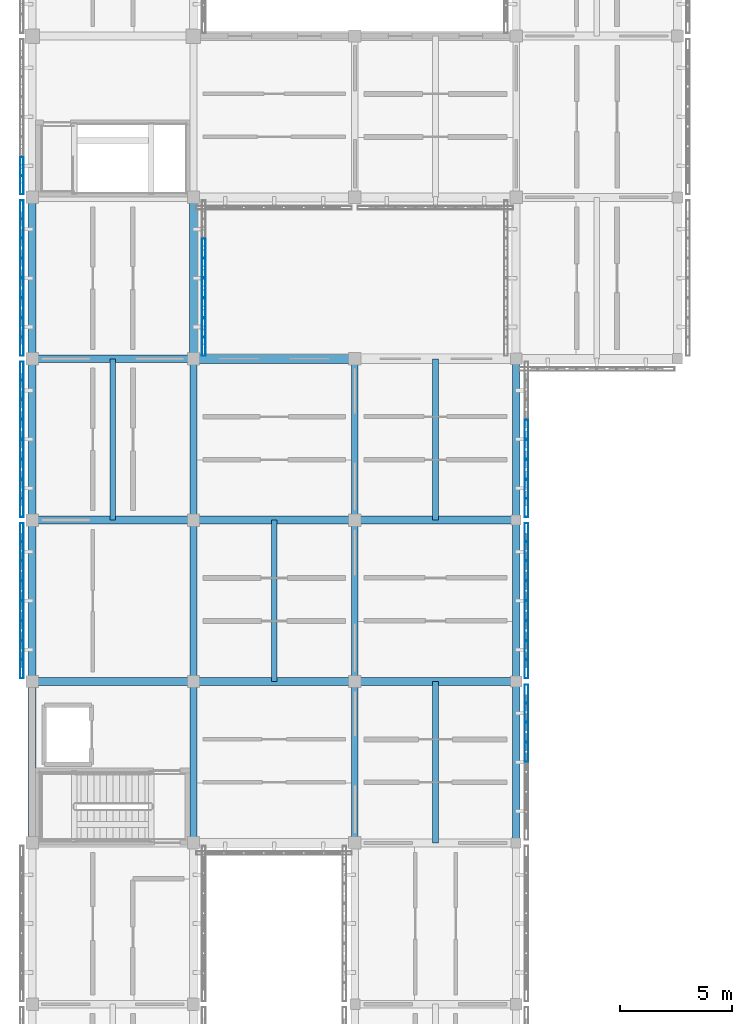
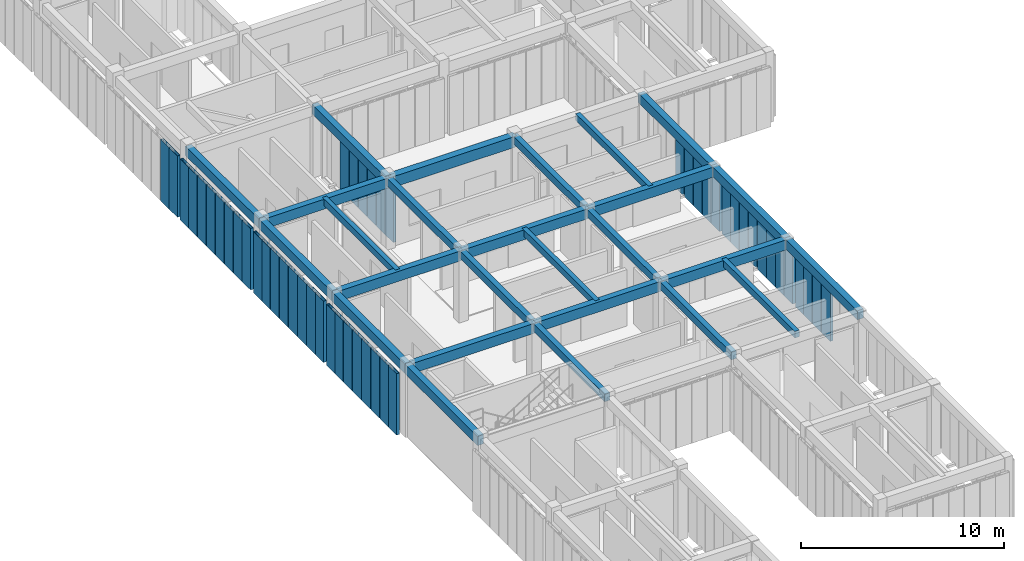
# One storey, part 5 of 91: 49 members, 26 beams, 8 elements without a shape of their own.
"""IFC4 building model written with IfcOpenShell, lengths in metres."""

from ifc_helpers import new_model, si_unit, direction, frame, origin, origin_2d, place, context, subcontext, project, spatial, rectangle, hollow_rectangle, extrude, material, material_profile, profile_set, type_object, element, aggregate, save


model = new_model("IFC4")

# Units and contexts
model_context = context("Model", 3, precision=1e-05, world=origin(), true_north=direction((0.0, 1.0)))
body_context = subcontext(model_context, "Body", "Model", "MODEL_VIEW")
ifc_project = project(units=[si_unit("LENGTHUNIT", "METRE"), si_unit("AREAUNIT", "SQUARE_METRE"), si_unit("VOLUMEUNIT", "CUBIC_METRE"), si_unit("PLANEANGLEUNIT", "RADIAN"), si_unit("MASSUNIT", "GRAM", prefix="KILO")], contexts=[model_context])

# Site, building, storey
site_placement = place(None, origin())
site = spatial("IfcSite", under=ifc_project, at=site_placement, CompositionType="ELEMENT")
building_placement = place(site_placement, origin())
building = spatial("IfcBuilding", under=site, at=building_placement, Name="Aldebral Square Health Centre", CompositionType="ELEMENT")
storey_placement = place(building_placement, frame((0.0, 0.0, 9.0)))
storey = spatial("IfcBuildingStorey", under=building, at=storey_placement, Name="L02", CompositionType="ELEMENT", Elevation=9.0)

# Beams
ifc_material_1 = material(Name="Concrete C40/50", Category="concrete")
ifc_material_profile_1 = material_profile(ifc_material_1, rectangle(XDim=0.39990234375, YDim=0.64990234375, at=origin_2d()), Name="RC 400x650")
ifc_profile_set_1 = profile_set([ifc_material_profile_1], Name="Concrete C40/50")
beam_type_1 = type_object("IfcBeamType", Name="BM-B1", PredefinedType="BEAM", material=ifc_profile_set_1)
beam_placement = place(storey_placement, frame((7.199951171875, 50.39990234375, 3.9150390625), z_axis=(1.0, 0.0, 0.0), x_axis=(0.0, 1.0, 0.0)))
element("IfcBeam", 1, at=beam_placement, inside=storey, type_object=beam_type_1, Name="L02 X-beam 2-3/G8", PredefinedType="BEAM", context=body_context, shape_type="SweptSolid", body=[
    extrude(rectangle(XDim=0.39990234375, YDim=0.64990234375, at=origin_2d()), origin(), (0.0, 0.0, 1.0), 7.199951171875),
])
ifc_material_profile_2 = material_profile(ifc_material_1, rectangle(XDim=0.35009765625, YDim=0.60009765625, at=origin_2d()), Name="RC 350x600")
ifc_profile_set_2 = profile_set([ifc_material_profile_2], Name="Concrete C40/50")
beam_type_2 = type_object("IfcBeamType", Name="BM-B2", PredefinedType="BEAM", material=ifc_profile_set_2)
for number, where, z_axis, x_axis, name in (
    (2, (0.0, 36.0, 3.93994140625), (1.0, 0.0, 0.0), (0.0, 1.0, 0.0), "L02 X-beam 1-2/G6"),
    (3, (0.0, 43.199951171875, 3.93994140625), (1.0, 0.0, 0.0), (0.0, 1.0, 0.0), "L02 X-beam 1-2/G7"),
    (4, (0.0, 50.39990234375, 3.93994140625), (1.0, 0.0, 0.0), (0.0, 1.0, 0.0), "L02 X-beam 1-2/G8"),
    (5, (7.199951171875, 36.0, 3.93994140625), (1.0, 0.0, 0.0), (0.0, 1.0, 0.0), "L02 X-beam 2-3/G6"),
    (6, (7.199951171875, 43.199951171875, 3.93994140625), (1.0, 0.0, 0.0), (0.0, 1.0, 0.0), "L02 X-beam 2-3/G7"),
):
    element("IfcBeam", number, at=place(storey_placement, frame(where, z_axis=z_axis, x_axis=x_axis)), inside=storey, type_object=beam_type_2, Name=name, PredefinedType="BEAM", context=body_context, shape_type="SweptSolid", body=[
        extrude(rectangle(XDim=0.35009765625, YDim=0.60009765625, at=origin_2d()), origin(), (0.0, 0.0, 1.0), 7.199951171875),
    ])
for number, where, z_axis, x_axis, name in (
    (7, (14.39990234375, 36.0, 3.93994140625), (1.0, 0.0, 0.0), (0.0, 1.0, 0.0), "L02 X-beam 3-4/G6"),
    (8, (14.39990234375, 43.199951171875, 3.93994140625), (1.0, 0.0, 0.0), (0.0, 1.0, 0.0), "L02 X-beam 3-4/G7"),
):
    element("IfcBeam", number, at=place(storey_placement, frame(where, z_axis=z_axis, x_axis=x_axis)), inside=storey, type_object=beam_type_2, Name=name, PredefinedType="BEAM", context=body_context, shape_type="SweptSolid", body=[
        extrude(rectangle(XDim=0.35009765625, YDim=0.60009765625, at=origin_2d()), origin(), (0.0, 0.0, 1.0), 7.2001953125),
    ])
ifc_material_profile_3 = material_profile(ifc_material_1, rectangle(XDim=0.35009765625, YDim=0.550048828125, at=origin_2d()), Name="RC 350x550")
ifc_profile_set_3 = profile_set([ifc_material_profile_3], Name="Concrete C40/50")
beam_type_3 = type_object("IfcBeamType", Name="BM-B3", PredefinedType="BEAM", material=ifc_profile_set_3)
for number, where, z_axis, x_axis, name in (
    (9, (0.0, 28.800048828125, 3.965087890625), (0.0, 1.0, 0.0), (-1.0, 0.0, 0.0), "L02 Y-beam G1/5-6"),
    (10, (0.0, 36.0, 3.965087890625), (0.0, 1.0, 0.0), (-1.0, 0.0, 0.0), "L02 Y-beam G1/6-7"),
    (11, (0.0, 43.199951171875, 3.965087890625), (0.0, 1.0, 0.0), (-1.0, 0.0, 0.0), "L02 Y-beam G1/7-8"),
):
    element("IfcBeam", number, at=place(storey_placement, frame(where, z_axis=z_axis, x_axis=x_axis)), inside=storey, type_object=beam_type_3, Name=name, PredefinedType="BEAM", context=body_context, shape_type="SweptSolid", body=[
        extrude(rectangle(XDim=0.35009765625, YDim=0.550048828125, at=origin_2d()), origin(), (0.0, 0.0, 1.0), 7.199951171875),
    ])
for number, where, z_axis, x_axis, name in (
    (12, (0.0, 50.39990234375, 3.965087890625), (0.0, 1.0, 0.0), (-1.0, 0.0, 0.0), "L02 Y-beam G1/8-9"),
    (13, (7.199951171875, 50.39990234375, 3.965087890625), (0.0, 1.0, 0.0), (-1.0, 0.0, 0.0), "L02 Y-beam G2/8-9"),
):
    element("IfcBeam", number, at=place(storey_placement, frame(where, z_axis=z_axis, x_axis=x_axis)), inside=storey, type_object=beam_type_3, Name=name, PredefinedType="BEAM", context=body_context, shape_type="SweptSolid", body=[
        extrude(rectangle(XDim=0.35009765625, YDim=0.550048828125, at=origin_2d()), origin(), (0.0, 0.0, 1.0), 7.2001953125),
    ])
for number, where, z_axis, x_axis, name in (
    (14, (21.60009765625, 28.800048828125, 3.965087890625), (0.0, 1.0, 0.0), (-1.0, 0.0, 0.0), "L02 Y-beam G4/5-6"),
    (15, (21.60009765625, 36.0, 3.965087890625), (0.0, 1.0, 0.0), (-1.0, 0.0, 0.0), "L02 Y-beam G4/6-7"),
    (16, (21.60009765625, 43.199951171875, 3.965087890625), (0.0, 1.0, 0.0), (-1.0, 0.0, 0.0), "L02 Y-beam G4/7-8"),
):
    element("IfcBeam", number, at=place(storey_placement, frame(where, z_axis=z_axis, x_axis=x_axis)), inside=storey, type_object=beam_type_3, Name=name, PredefinedType="BEAM", context=body_context, shape_type="SweptSolid", body=[
        extrude(rectangle(XDim=0.35009765625, YDim=0.550048828125, at=origin_2d()), origin(), (0.0, 0.0, 1.0), 7.199951171875),
    ])
ifc_material_profile_4 = material_profile(ifc_material_1, rectangle(XDim=0.300048828125, YDim=0.449951171875, at=origin_2d()), Name="RC 300x450")
ifc_profile_set_4 = profile_set([ifc_material_profile_4], Name="Concrete C40/50")
beam_type_4 = type_object("IfcBeamType", Name="BM-B5", PredefinedType="BEAM", material=ifc_profile_set_4)
for number, where, z_axis, x_axis, name in (
    (17, (7.199951171875, 28.800048828125, 4.014892578125), (0.0, 1.0, 0.0), (-1.0, 0.0, 0.0), "L02 Y-beam G2/5-6"),
    (18, (7.199951171875, 36.0, 4.014892578125), (0.0, 1.0, 0.0), (-1.0, 0.0, 0.0), "L02 Y-beam G2/6-7"),
    (19, (7.199951171875, 43.199951171875, 4.014892578125), (0.0, 1.0, 0.0), (-1.0, 0.0, 0.0), "L02 Y-beam G2/7-8"),
    (20, (14.39990234375, 28.800048828125, 4.014892578125), (0.0, 1.0, 0.0), (-1.0, 0.0, 0.0), "L02 Y-beam G3/5-6"),
    (21, (14.39990234375, 36.0, 4.014892578125), (0.0, 1.0, 0.0), (-1.0, 0.0, 0.0), "L02 Y-beam G3/6-7"),
    (22, (14.39990234375, 43.199951171875, 4.014892578125), (0.0, 1.0, 0.0), (-1.0, 0.0, 0.0), "L02 Y-beam G3/7-8"),
):
    element("IfcBeam", number, at=place(storey_placement, frame(where, z_axis=z_axis, x_axis=x_axis)), inside=storey, type_object=beam_type_4, Name=name, PredefinedType="BEAM", context=body_context, shape_type="SweptSolid", body=[
        extrude(rectangle(XDim=0.300048828125, YDim=0.449951171875, at=origin_2d()), origin(), (0.0, 0.0, 1.0), 7.199951171875),
    ])
ifc_material_profile_5 = material_profile(ifc_material_1, rectangle(XDim=0.25, YDim=0.39990234375, at=origin_2d()), Name="RC 250x400")
ifc_profile_set_5 = profile_set([ifc_material_profile_5], Name="Concrete C40/50")
beam_type_5 = type_object("IfcBeamType", Name="BM-B6", PredefinedType="JOIST", material=ifc_profile_set_5)
for number, where, z_axis, x_axis, name in (
    (23, (3.60009765625, 43.199951171875, 4.0400390625), (0.0, 1.0, 0.0), (-1.0, 0.0, 0.0), "L02 secondary rib 1.7"),
    (24, (10.800048828125, 36.0, 4.0400390625), (0.0, 1.0, 0.0), (-1.0, 0.0, 0.0), "L02 secondary rib 2.6"),
    (25, (18.0, 28.800048828125, 4.0400390625), (0.0, 1.0, 0.0), (-1.0, 0.0, 0.0), "L02 secondary rib 3.5"),
    (26, (18.0, 43.199951171875, 4.0400390625), (0.0, 1.0, 0.0), (-1.0, 0.0, 0.0), "L02 secondary rib 3.7"),
):
    element("IfcBeam", number, at=place(storey_placement, frame(where, z_axis=z_axis, x_axis=x_axis)), inside=storey, type_object=beam_type_5, Name=name, PredefinedType="JOIST", context=body_context, shape_type="SweptSolid", body=[
        extrude(rectangle(XDim=0.25, YDim=0.39990234375, at=origin_2d()), origin(), (0.0, 0.0, 1.0), 7.199951171875),
    ])

# Curtain wall, members
ifc_material_2 = material(Name="Aluminium and low-E solar glass", Category="aluminium")
curtain_wall_type = type_object("IfcCurtainWallType", Name="CW-FIN-SYS", PredefinedType="USERDEFINED", material=ifc_material_2)
curtain_wall_1_placement = place(storey_placement, origin())
curtain_wall_1 = element("IfcCurtainWall", 27, at=curtain_wall_1_placement, inside=storey, type_object=curtain_wall_type, Name="L02 V6 finned curtain wall L02-V6-00-05-W", ObjectType="SOLAR_CURTAIN_WALL", PredefinedType="USERDEFINED")
ifc_material_3 = material(Name="Sienna-terracotta clad aluminium fin", Category="masonry")
ifc_material_profile_6 = material_profile(ifc_material_3, hollow_rectangle(XDim=0.159912109375, YDim=0.85009765625, WallThickness=0.006103515625, at=origin_2d()), Name="FIN 160x850x6")
ifc_profile_set_6 = profile_set([ifc_material_profile_6], Name="Sienna-terracotta clad aluminium fin")
member_type = type_object("IfcMemberType", Name="CWM-FIN", PredefinedType="MULLION", material=ifc_profile_set_6)
member_1_placement = place(storey_placement, frame((-0.4599609375, 42.639892578125, 0.0), z_axis=(0.0, 0.0, 1.0), x_axis=(1.0, 0.0, 0.0)))
member_1 = element("IfcMember", 28, at=member_1_placement, type_object=member_type, Name="CW1 mullion 1", PredefinedType="MULLION", context=body_context, shape_type="SweptSolid", body=[
    extrude(hollow_rectangle(XDim=0.159912109375, YDim=0.85009765625, WallThickness=0.006103515625, at=origin_2d()), origin(), (0.0, 0.0, 1.0), 3.68994140625),
])
member_2_placement = place(storey_placement, frame((-0.4599609375, 41.82861328125, 0.0), z_axis=(0.0, 0.0, 1.0), x_axis=(1.0, 0.0, 0.0)))
member_2 = element("IfcMember", 29, at=member_2_placement, type_object=member_type, Name="CW1 mullion 2", PredefinedType="MULLION", context=body_context, shape_type="SweptSolid", body=[
    extrude(hollow_rectangle(XDim=0.159912109375, YDim=0.85009765625, WallThickness=0.006103515625, at=origin_2d()), origin(), (0.0, 0.0, 1.0), 3.68994140625),
])
member_3_placement = place(storey_placement, frame((-0.4599609375, 40.937255859375, 0.0), z_axis=(0.0, 0.0, 1.0), x_axis=(1.0, 0.0, 0.0)))
member_3 = element("IfcMember", 30, at=member_3_placement, type_object=member_type, Name="CW1 mullion 3", PredefinedType="MULLION", context=body_context, shape_type="SweptSolid", body=[
    extrude(hollow_rectangle(XDim=0.159912109375, YDim=0.85009765625, WallThickness=0.006103515625, at=origin_2d()), origin(), (0.0, 0.0, 1.0), 3.68994140625),
])
member_4_placement = place(storey_placement, frame((-0.4599609375, 40.045654296875, 0.0), z_axis=(0.0, 0.0, 1.0), x_axis=(1.0, 0.0, 0.0)))
member_4 = element("IfcMember", 31, at=member_4_placement, type_object=member_type, Name="CW1 mullion 4", PredefinedType="MULLION", context=body_context, shape_type="SweptSolid", body=[
    extrude(hollow_rectangle(XDim=0.159912109375, YDim=0.85009765625, WallThickness=0.006103515625, at=origin_2d()), origin(), (0.0, 0.0, 1.0), 3.68994140625),
])
member_5_placement = place(storey_placement, frame((-0.4599609375, 39.154296875, 0.0), z_axis=(0.0, 0.0, 1.0), x_axis=(1.0, 0.0, 0.0)))
member_5 = element("IfcMember", 32, at=member_5_placement, type_object=member_type, Name="CW1 mullion 5", PredefinedType="MULLION", context=body_context, shape_type="SweptSolid", body=[
    extrude(hollow_rectangle(XDim=0.159912109375, YDim=0.85009765625, WallThickness=0.006103515625, at=origin_2d()), origin(), (0.0, 0.0, 1.0), 3.68994140625),
])
member_6_placement = place(storey_placement, frame((-0.4599609375, 38.262939453125, 0.0), z_axis=(0.0, 0.0, 1.0), x_axis=(1.0, 0.0, 0.0)))
member_6 = element("IfcMember", 33, at=member_6_placement, type_object=member_type, Name="CW1 mullion 6", PredefinedType="MULLION", context=body_context, shape_type="SweptSolid", body=[
    extrude(hollow_rectangle(XDim=0.159912109375, YDim=0.85009765625, WallThickness=0.006103515625, at=origin_2d()), origin(), (0.0, 0.0, 1.0), 3.68994140625),
])
member_7_placement = place(storey_placement, frame((-0.4599609375, 37.371337890625, 0.0), z_axis=(0.0, 0.0, 1.0), x_axis=(1.0, 0.0, 0.0)))
member_7 = element("IfcMember", 34, at=member_7_placement, type_object=member_type, Name="CW1 mullion 7", PredefinedType="MULLION", context=body_context, shape_type="SweptSolid", body=[
    extrude(hollow_rectangle(XDim=0.159912109375, YDim=0.85009765625, WallThickness=0.006103515625, at=origin_2d()), origin(), (0.0, 0.0, 1.0), 3.68994140625),
])
member_8_placement = place(storey_placement, frame((-0.4599609375, 36.56005859375, 0.0), z_axis=(0.0, 0.0, 1.0), x_axis=(1.0, 0.0, 0.0)))
member_8 = element("IfcMember", 35, at=member_8_placement, type_object=member_type, Name="CW1 mullion 8", PredefinedType="MULLION", context=body_context, shape_type="SweptSolid", body=[
    extrude(hollow_rectangle(XDim=0.159912109375, YDim=0.85009765625, WallThickness=0.006103515625, at=origin_2d()), origin(), (0.0, 0.0, 1.0), 3.68994140625),
])
aggregate(curtain_wall_1, [member_1, member_2, member_3, member_4, member_5, member_6, member_7, member_8])

curtain_wall_2_placement = place(storey_placement, origin())
curtain_wall_2 = element("IfcCurtainWall", 36, at=curtain_wall_2_placement, inside=storey, type_object=curtain_wall_type, Name="L02 V6 finned curtain wall L02-V6-00-06-W", ObjectType="SOLAR_CURTAIN_WALL", PredefinedType="USERDEFINED")
member_9_placement = place(storey_placement, frame((-0.4599609375, 49.840087890625, 0.0), z_axis=(0.0, 0.0, 1.0), x_axis=(1.0, 0.0, 0.0)))
member_9 = element("IfcMember", 37, at=member_9_placement, type_object=member_type, Name="CW1 mullion 1", PredefinedType="MULLION", context=body_context, shape_type="SweptSolid", body=[
    extrude(hollow_rectangle(XDim=0.159912109375, YDim=0.85009765625, WallThickness=0.006103515625, at=origin_2d()), origin(), (0.0, 0.0, 1.0), 3.68994140625),
])
member_10_placement = place(storey_placement, frame((-0.4599609375, 49.028564453125, 0.0), z_axis=(0.0, 0.0, 1.0), x_axis=(1.0, 0.0, 0.0)))
member_10 = element("IfcMember", 38, at=member_10_placement, type_object=member_type, Name="CW1 mullion 2", PredefinedType="MULLION", context=body_context, shape_type="SweptSolid", body=[
    extrude(hollow_rectangle(XDim=0.159912109375, YDim=0.85009765625, WallThickness=0.006103515625, at=origin_2d()), origin(), (0.0, 0.0, 1.0), 3.68994140625),
])
member_11_placement = place(storey_placement, frame((-0.4599609375, 48.13720703125, 0.0), z_axis=(0.0, 0.0, 1.0), x_axis=(1.0, 0.0, 0.0)))
member_11 = element("IfcMember", 39, at=member_11_placement, type_object=member_type, Name="CW1 mullion 3", PredefinedType="MULLION", context=body_context, shape_type="SweptSolid", body=[
    extrude(hollow_rectangle(XDim=0.159912109375, YDim=0.85009765625, WallThickness=0.006103515625, at=origin_2d()), origin(), (0.0, 0.0, 1.0), 3.68994140625),
])
member_12_placement = place(storey_placement, frame((-0.4599609375, 47.24560546875, 0.0), z_axis=(0.0, 0.0, 1.0), x_axis=(1.0, 0.0, 0.0)))
member_12 = element("IfcMember", 40, at=member_12_placement, type_object=member_type, Name="CW1 mullion 4", PredefinedType="MULLION", context=body_context, shape_type="SweptSolid", body=[
    extrude(hollow_rectangle(XDim=0.159912109375, YDim=0.85009765625, WallThickness=0.006103515625, at=origin_2d()), origin(), (0.0, 0.0, 1.0), 3.68994140625),
])
member_13_placement = place(storey_placement, frame((-0.4599609375, 46.354248046875, 0.0), z_axis=(0.0, 0.0, 1.0), x_axis=(1.0, 0.0, 0.0)))
member_13 = element("IfcMember", 41, at=member_13_placement, type_object=member_type, Name="CW1 mullion 5", PredefinedType="MULLION", context=body_context, shape_type="SweptSolid", body=[
    extrude(hollow_rectangle(XDim=0.159912109375, YDim=0.85009765625, WallThickness=0.006103515625, at=origin_2d()), origin(), (0.0, 0.0, 1.0), 3.68994140625),
])
member_14_placement = place(storey_placement, frame((-0.4599609375, 45.462890625, 0.0), z_axis=(0.0, 0.0, 1.0), x_axis=(1.0, 0.0, 0.0)))
member_14 = element("IfcMember", 42, at=member_14_placement, type_object=member_type, Name="CW1 mullion 6", PredefinedType="MULLION", context=body_context, shape_type="SweptSolid", body=[
    extrude(hollow_rectangle(XDim=0.159912109375, YDim=0.85009765625, WallThickness=0.006103515625, at=origin_2d()), origin(), (0.0, 0.0, 1.0), 3.68994140625),
])
member_15_placement = place(storey_placement, frame((-0.4599609375, 44.571533203125, 0.0), z_axis=(0.0, 0.0, 1.0), x_axis=(1.0, 0.0, 0.0)))
member_15 = element("IfcMember", 43, at=member_15_placement, type_object=member_type, Name="CW1 mullion 7", PredefinedType="MULLION", context=body_context, shape_type="SweptSolid", body=[
    extrude(hollow_rectangle(XDim=0.159912109375, YDim=0.85009765625, WallThickness=0.006103515625, at=origin_2d()), origin(), (0.0, 0.0, 1.0), 3.68994140625),
])
member_16_placement = place(storey_placement, frame((-0.4599609375, 43.760009765625, 0.0), z_axis=(0.0, 0.0, 1.0), x_axis=(1.0, 0.0, 0.0)))
member_16 = element("IfcMember", 44, at=member_16_placement, type_object=member_type, Name="CW1 mullion 8", PredefinedType="MULLION", context=body_context, shape_type="SweptSolid", body=[
    extrude(hollow_rectangle(XDim=0.159912109375, YDim=0.85009765625, WallThickness=0.006103515625, at=origin_2d()), origin(), (0.0, 0.0, 1.0), 3.68994140625),
])
aggregate(curtain_wall_2, [member_9, member_10, member_11, member_12, member_13, member_14, member_15, member_16])

curtain_wall_3_placement = place(storey_placement, origin())
curtain_wall_3 = element("IfcCurtainWall", 45, at=curtain_wall_3_placement, inside=storey, type_object=curtain_wall_type, Name="L02 V4 finned curtain wall L02-V4-00-07-W", ObjectType="SOLAR_CURTAIN_WALL", PredefinedType="USERDEFINED")
member_17_placement = place(storey_placement, frame((-0.4599609375, 57.0400390625, 0.0), z_axis=(0.0, 0.0, 1.0), x_axis=(1.0, 0.0, 0.0)))
member_17 = element("IfcMember", 46, at=member_17_placement, type_object=member_type, Name="CW1 mullion 1", PredefinedType="MULLION", context=body_context, shape_type="SweptSolid", body=[
    extrude(hollow_rectangle(XDim=0.159912109375, YDim=0.85009765625, WallThickness=0.006103515625, at=origin_2d()), origin(), (0.0, 0.0, 1.0), 3.68994140625),
])
member_18_placement = place(storey_placement, frame((-0.4599609375, 56.228515625, 0.0), z_axis=(0.0, 0.0, 1.0), x_axis=(1.0, 0.0, 0.0)))
member_18 = element("IfcMember", 47, at=member_18_placement, type_object=member_type, Name="CW1 mullion 2", PredefinedType="MULLION", context=body_context, shape_type="SweptSolid", body=[
    extrude(hollow_rectangle(XDim=0.159912109375, YDim=0.85009765625, WallThickness=0.006103515625, at=origin_2d()), origin(), (0.0, 0.0, 1.0), 3.68994140625),
])
member_19_placement = place(storey_placement, frame((-0.4599609375, 55.337158203125, 0.0), z_axis=(0.0, 0.0, 1.0), x_axis=(1.0, 0.0, 0.0)))
member_19 = element("IfcMember", 48, at=member_19_placement, type_object=member_type, Name="CW1 mullion 3", PredefinedType="MULLION", context=body_context, shape_type="SweptSolid", body=[
    extrude(hollow_rectangle(XDim=0.159912109375, YDim=0.85009765625, WallThickness=0.006103515625, at=origin_2d()), origin(), (0.0, 0.0, 1.0), 3.68994140625),
])
member_20_placement = place(storey_placement, frame((-0.4599609375, 54.44580078125, 0.0), z_axis=(0.0, 0.0, 1.0), x_axis=(1.0, 0.0, 0.0)))
member_20 = element("IfcMember", 49, at=member_20_placement, type_object=member_type, Name="CW1 mullion 4", PredefinedType="MULLION", context=body_context, shape_type="SweptSolid", body=[
    extrude(hollow_rectangle(XDim=0.159912109375, YDim=0.85009765625, WallThickness=0.006103515625, at=origin_2d()), origin(), (0.0, 0.0, 1.0), 3.68994140625),
])
member_21_placement = place(storey_placement, frame((-0.4599609375, 53.55419921875, 0.0), z_axis=(0.0, 0.0, 1.0), x_axis=(1.0, 0.0, 0.0)))
member_21 = element("IfcMember", 50, at=member_21_placement, type_object=member_type, Name="CW1 mullion 5", PredefinedType="MULLION", context=body_context, shape_type="SweptSolid", body=[
    extrude(hollow_rectangle(XDim=0.159912109375, YDim=0.85009765625, WallThickness=0.006103515625, at=origin_2d()), origin(), (0.0, 0.0, 1.0), 3.68994140625),
])
member_22_placement = place(storey_placement, frame((-0.4599609375, 52.662841796875, 0.0), z_axis=(0.0, 0.0, 1.0), x_axis=(1.0, 0.0, 0.0)))
member_22 = element("IfcMember", 51, at=member_22_placement, type_object=member_type, Name="CW1 mullion 6", PredefinedType="MULLION", context=body_context, shape_type="SweptSolid", body=[
    extrude(hollow_rectangle(XDim=0.159912109375, YDim=0.85009765625, WallThickness=0.006103515625, at=origin_2d()), origin(), (0.0, 0.0, 1.0), 3.68994140625),
])
member_23_placement = place(storey_placement, frame((-0.4599609375, 51.771484375, 0.0), z_axis=(0.0, 0.0, 1.0), x_axis=(1.0, 0.0, 0.0)))
member_23 = element("IfcMember", 52, at=member_23_placement, type_object=member_type, Name="CW1 mullion 7", PredefinedType="MULLION", context=body_context, shape_type="SweptSolid", body=[
    extrude(hollow_rectangle(XDim=0.159912109375, YDim=0.85009765625, WallThickness=0.006103515625, at=origin_2d()), origin(), (0.0, 0.0, 1.0), 3.68994140625),
])
member_24_placement = place(storey_placement, frame((-0.4599609375, 50.9599609375, 0.0), z_axis=(0.0, 0.0, 1.0), x_axis=(1.0, 0.0, 0.0)))
member_24 = element("IfcMember", 53, at=member_24_placement, type_object=member_type, Name="CW1 mullion 8", PredefinedType="MULLION", context=body_context, shape_type="SweptSolid", body=[
    extrude(hollow_rectangle(XDim=0.159912109375, YDim=0.85009765625, WallThickness=0.006103515625, at=origin_2d()), origin(), (0.0, 0.0, 1.0), 3.68994140625),
])
aggregate(curtain_wall_3, [member_17, member_18, member_19, member_20, member_21, member_22, member_23, member_24])

curtain_wall_4_placement = place(storey_placement, origin())
curtain_wall_4 = element("IfcCurtainWall", 54, at=curtain_wall_4_placement, inside=storey, type_object=curtain_wall_type, Name="L02 V4 finned curtain wall L02-V4-00-07-E", ObjectType="SOLAR_CURTAIN_WALL", PredefinedType="USERDEFINED")
member_25_placement = place(storey_placement, frame((7.659912109375, 50.9599609375, 0.0), z_axis=(0.0, 0.0, 1.0), x_axis=(-1.0, 0.0, 0.0)))
member_25 = element("IfcMember", 55, at=member_25_placement, type_object=member_type, Name="CW1 mullion 1", PredefinedType="MULLION", context=body_context, shape_type="SweptSolid", body=[
    extrude(hollow_rectangle(XDim=0.159912109375, YDim=0.85009765625, WallThickness=0.006103515625, at=origin_2d()), origin(), (0.0, 0.0, 1.0), 3.68994140625),
])
member_26_placement = place(storey_placement, frame((7.659912109375, 51.771484375, 0.0), z_axis=(0.0, 0.0, 1.0), x_axis=(-1.0, 0.0, 0.0)))
member_26 = element("IfcMember", 56, at=member_26_placement, type_object=member_type, Name="CW1 mullion 2", PredefinedType="MULLION", context=body_context, shape_type="SweptSolid", body=[
    extrude(hollow_rectangle(XDim=0.159912109375, YDim=0.85009765625, WallThickness=0.006103515625, at=origin_2d()), origin(), (0.0, 0.0, 1.0), 3.68994140625),
])
member_27_placement = place(storey_placement, frame((7.659912109375, 52.662841796875, 0.0), z_axis=(0.0, 0.0, 1.0), x_axis=(-1.0, 0.0, 0.0)))
member_27 = element("IfcMember", 57, at=member_27_placement, type_object=member_type, Name="CW1 mullion 3", PredefinedType="MULLION", context=body_context, shape_type="SweptSolid", body=[
    extrude(hollow_rectangle(XDim=0.159912109375, YDim=0.85009765625, WallThickness=0.006103515625, at=origin_2d()), origin(), (0.0, 0.0, 1.0), 3.68994140625),
])
member_28_placement = place(storey_placement, frame((7.659912109375, 53.55419921875, 0.0), z_axis=(0.0, 0.0, 1.0), x_axis=(-1.0, 0.0, 0.0)))
member_28 = element("IfcMember", 58, at=member_28_placement, type_object=member_type, Name="CW1 mullion 4", PredefinedType="MULLION", context=body_context, shape_type="SweptSolid", body=[
    extrude(hollow_rectangle(XDim=0.159912109375, YDim=0.85009765625, WallThickness=0.006103515625, at=origin_2d()), origin(), (0.0, 0.0, 1.0), 3.68994140625),
])
member_29_placement = place(storey_placement, frame((7.659912109375, 54.44580078125, 0.0), z_axis=(0.0, 0.0, 1.0), x_axis=(-1.0, 0.0, 0.0)))
member_29 = element("IfcMember", 59, at=member_29_placement, type_object=member_type, Name="CW1 mullion 5", PredefinedType="MULLION", context=body_context, shape_type="SweptSolid", body=[
    extrude(hollow_rectangle(XDim=0.159912109375, YDim=0.85009765625, WallThickness=0.006103515625, at=origin_2d()), origin(), (0.0, 0.0, 1.0), 3.68994140625),
])
member_30_placement = place(storey_placement, frame((7.659912109375, 55.337158203125, 0.0), z_axis=(0.0, 0.0, 1.0), x_axis=(-1.0, 0.0, 0.0)))
member_30 = element("IfcMember", 60, at=member_30_placement, type_object=member_type, Name="CW1 mullion 6", PredefinedType="MULLION", context=body_context, shape_type="SweptSolid", body=[
    extrude(hollow_rectangle(XDim=0.159912109375, YDim=0.85009765625, WallThickness=0.006103515625, at=origin_2d()), origin(), (0.0, 0.0, 1.0), 3.68994140625),
])
aggregate(curtain_wall_4, [member_25, member_26, member_27, member_28, member_29, member_30])

curtain_wall_5_placement = place(storey_placement, origin())
curtain_wall_5 = element("IfcCurtainWall", 61, at=curtain_wall_5_placement, inside=storey, type_object=curtain_wall_type, Name="L02 V4 finned curtain wall L02-V4-00-08-W", ObjectType="SOLAR_CURTAIN_WALL", PredefinedType="USERDEFINED")
member_31_placement = place(storey_placement, frame((-0.4599609375, 58.971435546875, 0.0), z_axis=(0.0, 0.0, 1.0), x_axis=(1.0, 0.0, 0.0)))
member_31 = element("IfcMember", 62, at=member_31_placement, type_object=member_type, Name="CW1 mullion 7", PredefinedType="MULLION", context=body_context, shape_type="SweptSolid", body=[
    extrude(hollow_rectangle(XDim=0.159912109375, YDim=0.85009765625, WallThickness=0.006103515625, at=origin_2d()), origin(), (0.0, 0.0, 1.0), 3.68994140625),
])
member_32_placement = place(storey_placement, frame((-0.4599609375, 58.159912109375, 0.0), z_axis=(0.0, 0.0, 1.0), x_axis=(1.0, 0.0, 0.0)))
member_32 = element("IfcMember", 63, at=member_32_placement, type_object=member_type, Name="CW1 mullion 8", PredefinedType="MULLION", context=body_context, shape_type="SweptSolid", body=[
    extrude(hollow_rectangle(XDim=0.159912109375, YDim=0.85009765625, WallThickness=0.006103515625, at=origin_2d()), origin(), (0.0, 0.0, 1.0), 3.68994140625),
])
aggregate(curtain_wall_5, [member_31, member_32])

curtain_wall_6_placement = place(storey_placement, origin())
curtain_wall_6 = element("IfcCurtainWall", 64, at=curtain_wall_6_placement, inside=storey, type_object=curtain_wall_type, Name="L02 V6 finned curtain wall L02-V6-02-04-E", ObjectType="SOLAR_CURTAIN_WALL", PredefinedType="USERDEFINED")
member_33_placement = place(storey_placement, frame((22.06005859375, 32.845703125, 0.0), z_axis=(0.0, 0.0, 1.0), x_axis=(-1.0, 0.0, 0.0)))
member_33 = element("IfcMember", 65, at=member_33_placement, type_object=member_type, Name="CW1 mullion 5", PredefinedType="MULLION", context=body_context, shape_type="SweptSolid", body=[
    extrude(hollow_rectangle(XDim=0.159912109375, YDim=0.85009765625, WallThickness=0.006103515625, at=origin_2d()), origin(), (0.0, 0.0, 1.0), 3.68994140625),
])
member_34_placement = place(storey_placement, frame((22.06005859375, 33.737060546875, 0.0), z_axis=(0.0, 0.0, 1.0), x_axis=(-1.0, 0.0, 0.0)))
member_34 = element("IfcMember", 66, at=member_34_placement, type_object=member_type, Name="CW1 mullion 6", PredefinedType="MULLION", context=body_context, shape_type="SweptSolid", body=[
    extrude(hollow_rectangle(XDim=0.159912109375, YDim=0.85009765625, WallThickness=0.006103515625, at=origin_2d()), origin(), (0.0, 0.0, 1.0), 3.68994140625),
])
member_35_placement = place(storey_placement, frame((22.06005859375, 34.628662109375, 0.0), z_axis=(0.0, 0.0, 1.0), x_axis=(-1.0, 0.0, 0.0)))
member_35 = element("IfcMember", 67, at=member_35_placement, type_object=member_type, Name="CW1 mullion 7", PredefinedType="MULLION", context=body_context, shape_type="SweptSolid", body=[
    extrude(hollow_rectangle(XDim=0.159912109375, YDim=0.85009765625, WallThickness=0.006103515625, at=origin_2d()), origin(), (0.0, 0.0, 1.0), 3.68994140625),
])
member_36_placement = place(storey_placement, frame((22.06005859375, 35.43994140625, 0.0), z_axis=(0.0, 0.0, 1.0), x_axis=(-1.0, 0.0, 0.0)))
member_36 = element("IfcMember", 68, at=member_36_placement, type_object=member_type, Name="CW1 mullion 8", PredefinedType="MULLION", context=body_context, shape_type="SweptSolid", body=[
    extrude(hollow_rectangle(XDim=0.159912109375, YDim=0.85009765625, WallThickness=0.006103515625, at=origin_2d()), origin(), (0.0, 0.0, 1.0), 3.68994140625),
])
aggregate(curtain_wall_6, [member_33, member_34, member_35, member_36])

curtain_wall_7_placement = place(storey_placement, origin())
curtain_wall_7 = element("IfcCurtainWall", 69, at=curtain_wall_7_placement, inside=storey, type_object=curtain_wall_type, Name="L02 V6 finned curtain wall L02-V6-02-05-E", ObjectType="SOLAR_CURTAIN_WALL", PredefinedType="USERDEFINED")
member_37_placement = place(storey_placement, frame((22.06005859375, 36.56005859375, 0.0), z_axis=(0.0, 0.0, 1.0), x_axis=(-1.0, 0.0, 0.0)))
member_37 = element("IfcMember", 70, at=member_37_placement, type_object=member_type, Name="CW1 mullion 1", PredefinedType="MULLION", context=body_context, shape_type="SweptSolid", body=[
    extrude(hollow_rectangle(XDim=0.159912109375, YDim=0.85009765625, WallThickness=0.006103515625, at=origin_2d()), origin(), (0.0, 0.0, 1.0), 3.68994140625),
])
member_38_placement = place(storey_placement, frame((22.06005859375, 37.371337890625, 0.0), z_axis=(0.0, 0.0, 1.0), x_axis=(-1.0, 0.0, 0.0)))
member_38 = element("IfcMember", 71, at=member_38_placement, type_object=member_type, Name="CW1 mullion 2", PredefinedType="MULLION", context=body_context, shape_type="SweptSolid", body=[
    extrude(hollow_rectangle(XDim=0.159912109375, YDim=0.85009765625, WallThickness=0.006103515625, at=origin_2d()), origin(), (0.0, 0.0, 1.0), 3.68994140625),
])
member_39_placement = place(storey_placement, frame((22.06005859375, 38.262939453125, 0.0), z_axis=(0.0, 0.0, 1.0), x_axis=(-1.0, 0.0, 0.0)))
member_39 = element("IfcMember", 72, at=member_39_placement, type_object=member_type, Name="CW1 mullion 3", PredefinedType="MULLION", context=body_context, shape_type="SweptSolid", body=[
    extrude(hollow_rectangle(XDim=0.159912109375, YDim=0.85009765625, WallThickness=0.006103515625, at=origin_2d()), origin(), (0.0, 0.0, 1.0), 3.68994140625),
])
member_40_placement = place(storey_placement, frame((22.06005859375, 39.154296875, 0.0), z_axis=(0.0, 0.0, 1.0), x_axis=(-1.0, 0.0, 0.0)))
member_40 = element("IfcMember", 73, at=member_40_placement, type_object=member_type, Name="CW1 mullion 4", PredefinedType="MULLION", context=body_context, shape_type="SweptSolid", body=[
    extrude(hollow_rectangle(XDim=0.159912109375, YDim=0.85009765625, WallThickness=0.006103515625, at=origin_2d()), origin(), (0.0, 0.0, 1.0), 3.68994140625),
])
member_41_placement = place(storey_placement, frame((22.06005859375, 40.045654296875, 0.0), z_axis=(0.0, 0.0, 1.0), x_axis=(-1.0, 0.0, 0.0)))
member_41 = element("IfcMember", 74, at=member_41_placement, type_object=member_type, Name="CW1 mullion 5", PredefinedType="MULLION", context=body_context, shape_type="SweptSolid", body=[
    extrude(hollow_rectangle(XDim=0.159912109375, YDim=0.85009765625, WallThickness=0.006103515625, at=origin_2d()), origin(), (0.0, 0.0, 1.0), 3.68994140625),
])
member_42_placement = place(storey_placement, frame((22.06005859375, 40.937255859375, 0.0), z_axis=(0.0, 0.0, 1.0), x_axis=(-1.0, 0.0, 0.0)))
member_42 = element("IfcMember", 75, at=member_42_placement, type_object=member_type, Name="CW1 mullion 6", PredefinedType="MULLION", context=body_context, shape_type="SweptSolid", body=[
    extrude(hollow_rectangle(XDim=0.159912109375, YDim=0.85009765625, WallThickness=0.006103515625, at=origin_2d()), origin(), (0.0, 0.0, 1.0), 3.68994140625),
])
member_43_placement = place(storey_placement, frame((22.06005859375, 41.82861328125, 0.0), z_axis=(0.0, 0.0, 1.0), x_axis=(-1.0, 0.0, 0.0)))
member_43 = element("IfcMember", 76, at=member_43_placement, type_object=member_type, Name="CW1 mullion 7", PredefinedType="MULLION", context=body_context, shape_type="SweptSolid", body=[
    extrude(hollow_rectangle(XDim=0.159912109375, YDim=0.85009765625, WallThickness=0.006103515625, at=origin_2d()), origin(), (0.0, 0.0, 1.0), 3.68994140625),
])
member_44_placement = place(storey_placement, frame((22.06005859375, 42.639892578125, 0.0), z_axis=(0.0, 0.0, 1.0), x_axis=(-1.0, 0.0, 0.0)))
member_44 = element("IfcMember", 77, at=member_44_placement, type_object=member_type, Name="CW1 mullion 8", PredefinedType="MULLION", context=body_context, shape_type="SweptSolid", body=[
    extrude(hollow_rectangle(XDim=0.159912109375, YDim=0.85009765625, WallThickness=0.006103515625, at=origin_2d()), origin(), (0.0, 0.0, 1.0), 3.68994140625),
])
aggregate(curtain_wall_7, [member_37, member_38, member_39, member_40, member_41, member_42, member_43, member_44])

curtain_wall_8_placement = place(storey_placement, origin())
curtain_wall_8 = element("IfcCurtainWall", 78, at=curtain_wall_8_placement, inside=storey, type_object=curtain_wall_type, Name="L02 V6 finned curtain wall L02-V6-02-06-E", ObjectType="SOLAR_CURTAIN_WALL", PredefinedType="USERDEFINED")
member_45_placement = place(storey_placement, frame((22.06005859375, 43.760009765625, 0.0), z_axis=(0.0, 0.0, 1.0), x_axis=(-1.0, 0.0, 0.0)))
member_45 = element("IfcMember", 79, at=member_45_placement, type_object=member_type, Name="CW1 mullion 1", PredefinedType="MULLION", context=body_context, shape_type="SweptSolid", body=[
    extrude(hollow_rectangle(XDim=0.159912109375, YDim=0.85009765625, WallThickness=0.006103515625, at=origin_2d()), origin(), (0.0, 0.0, 1.0), 3.68994140625),
])
member_46_placement = place(storey_placement, frame((22.06005859375, 44.571533203125, 0.0), z_axis=(0.0, 0.0, 1.0), x_axis=(-1.0, 0.0, 0.0)))
member_46 = element("IfcMember", 80, at=member_46_placement, type_object=member_type, Name="CW1 mullion 2", PredefinedType="MULLION", context=body_context, shape_type="SweptSolid", body=[
    extrude(hollow_rectangle(XDim=0.159912109375, YDim=0.85009765625, WallThickness=0.006103515625, at=origin_2d()), origin(), (0.0, 0.0, 1.0), 3.68994140625),
])
member_47_placement = place(storey_placement, frame((22.06005859375, 45.462890625, 0.0), z_axis=(0.0, 0.0, 1.0), x_axis=(-1.0, 0.0, 0.0)))
member_47 = element("IfcMember", 81, at=member_47_placement, type_object=member_type, Name="CW1 mullion 3", PredefinedType="MULLION", context=body_context, shape_type="SweptSolid", body=[
    extrude(hollow_rectangle(XDim=0.159912109375, YDim=0.85009765625, WallThickness=0.006103515625, at=origin_2d()), origin(), (0.0, 0.0, 1.0), 3.68994140625),
])
member_48_placement = place(storey_placement, frame((22.06005859375, 46.354248046875, 0.0), z_axis=(0.0, 0.0, 1.0), x_axis=(-1.0, 0.0, 0.0)))
member_48 = element("IfcMember", 82, at=member_48_placement, type_object=member_type, Name="CW1 mullion 4", PredefinedType="MULLION", context=body_context, shape_type="SweptSolid", body=[
    extrude(hollow_rectangle(XDim=0.159912109375, YDim=0.85009765625, WallThickness=0.006103515625, at=origin_2d()), origin(), (0.0, 0.0, 1.0), 3.68994140625),
])
member_49_placement = place(storey_placement, frame((22.06005859375, 47.24560546875, 0.0), z_axis=(0.0, 0.0, 1.0), x_axis=(-1.0, 0.0, 0.0)))
member_49 = element("IfcMember", 83, at=member_49_placement, type_object=member_type, Name="CW1 mullion 5", PredefinedType="MULLION", context=body_context, shape_type="SweptSolid", body=[
    extrude(hollow_rectangle(XDim=0.159912109375, YDim=0.85009765625, WallThickness=0.006103515625, at=origin_2d()), origin(), (0.0, 0.0, 1.0), 3.68994140625),
])
aggregate(curtain_wall_8, [member_45, member_46, member_47, member_48, member_49])

save(model, "model.ifc")
